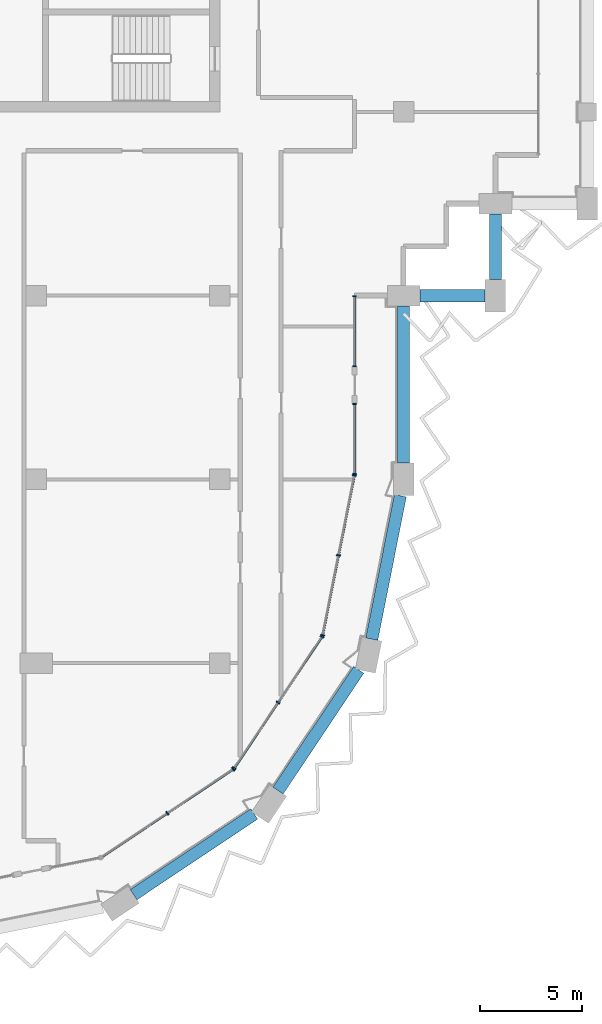
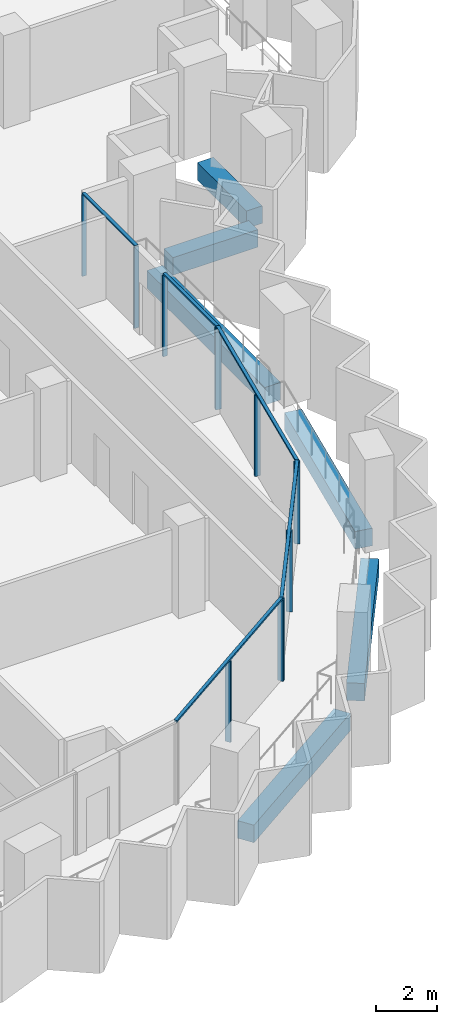
# One storey, part 3 of 16: 17 members, 6 beams, 5 elements without a shape of their own.
"""IFC4 building model written with IfcOpenShell, lengths in metres."""

from ifc_helpers import new_model, si_unit, direction, frame, origin, origin_2d, place, context, subcontext, project, spatial, rectangle, extrude, material, material_profile, profile_set, type_object, element, aggregate, save


model = new_model("IFC4")

# Units and contexts
model_context = context("Model", 3, precision=1e-05, world=origin(), true_north=direction((0.0, 1.0)))
body_context = subcontext(model_context, "Body", "Model", "MODEL_VIEW")
ifc_project = project(units=[si_unit("LENGTHUNIT", "METRE"), si_unit("AREAUNIT", "SQUARE_METRE"), si_unit("VOLUMEUNIT", "CUBIC_METRE"), si_unit("PLANEANGLEUNIT", "RADIAN"), si_unit("MASSUNIT", "GRAM", prefix="KILO")], contexts=[model_context])

# Site, building, storey
site_placement = place(None, origin())
site = spatial("IfcSite", under=ifc_project, at=site_placement, CompositionType="ELEMENT")
building_placement = place(site_placement, origin())
building = spatial("IfcBuilding", under=site, at=building_placement, Name="Hunhe Ridgeline Campus", CompositionType="ELEMENT")
storey_placement = place(building_placement, frame((0.0, 0.0, 239.199951171875)))
storey = spatial("IfcBuildingStorey", under=building, at=storey_placement, Name="L61", CompositionType="ELEMENT", Elevation=239.199951171875)

# Curtain wall, members
ifc_material_1 = material(Name="Aluminium 6063", Category="aluminium")
curtain_wall_type_1 = type_object("IfcCurtainWallType", Name="Curtain wall CW-1", PredefinedType="NOTDEFINED", material=ifc_material_1)
curtain_wall_1_placement = place(storey_placement, origin())
curtain_wall_1 = element("IfcCurtainWall", 1, at=curtain_wall_1_placement, inside=storey, type_object=curtain_wall_type_1, Name="Curtain wall 11", PredefinedType="NOTDEFINED")
ifc_material_profile_1 = material_profile(ifc_material_1, rectangle(XDim=0.159912109375, YDim=0.06005859375, at=origin_2d()))
ifc_profile_set_1 = profile_set([ifc_material_profile_1], Name="Aluminium 6063")
member_type_1 = type_object("IfcMemberType", Name="CW-1 aluminium mullion", PredefinedType="MULLION", material=ifc_profile_set_1)
member_1_placement = place(storey_placement, frame((42.59912109375, 45.266357421875, 0.0), z_axis=(0.0, 0.0, 1.0), x_axis=(-0.999999999815, 1.9241592e-05, 0.0)))
member_1 = element("IfcMember", 2, at=member_1_placement, type_object=member_type_1, Name="CW-1 mullion 1", PredefinedType="MULLION", context=body_context, shape_type="SweptSolid", body=[
    extrude(rectangle(XDim=0.159912109375, YDim=0.06005859375, at=origin_2d()), origin(), (0.0, 0.0, 1.0), 3.239990234375),
])
member_2_placement = place(storey_placement, frame((42.59912109375, 48.6884765625, 0.0), z_axis=(0.0, 0.0, 1.0), x_axis=(-0.999999999815, 1.9241592e-05, 0.0)))
member_2 = element("IfcMember", 3, at=member_2_placement, type_object=member_type_1, Name="CW-1 mullion 2", PredefinedType="MULLION", context=body_context, shape_type="SweptSolid", body=[
    extrude(rectangle(XDim=0.159912109375, YDim=0.06005859375, at=origin_2d()), origin(), (0.0, 0.0, 1.0), 3.239990234375),
])

curtain_wall_2_placement = place(storey_placement, origin())
curtain_wall_2 = element("IfcCurtainWall", 4, at=curtain_wall_2_placement, inside=storey, type_object=curtain_wall_type_1, Name="Curtain wall 12", PredefinedType="NOTDEFINED")
member_3_placement = place(storey_placement, frame((42.59912109375, 50.548583984375, 0.0), z_axis=(0.0, 0.0, 1.0), x_axis=(-0.999999999815, 1.9241592e-05, 0.0)))
member_3 = element("IfcMember", 5, at=member_3_placement, type_object=member_type_1, Name="CW-1 mullion 1", PredefinedType="MULLION", context=body_context, shape_type="SweptSolid", body=[
    extrude(rectangle(XDim=0.159912109375, YDim=0.06005859375, at=origin_2d()), origin(), (0.0, 0.0, 1.0), 3.239990234375),
])
member_4_placement = place(storey_placement, frame((42.59912109375, 53.970458984375, 0.0), z_axis=(0.0, 0.0, 1.0), x_axis=(-0.999999999815, 1.9241592e-05, 0.0)))
member_4 = element("IfcMember", 6, at=member_4_placement, type_object=member_type_1, Name="CW-1 mullion 2", PredefinedType="MULLION", context=body_context, shape_type="SweptSolid", body=[
    extrude(rectangle(XDim=0.159912109375, YDim=0.06005859375, at=origin_2d()), origin(), (0.0, 0.0, 1.0), 3.239990234375),
])

# Member
ifc_material_profile_2 = material_profile(ifc_material_1, rectangle(XDim=0.1201171875, YDim=0.06005859375, at=origin_2d()))
ifc_profile_set_2 = profile_set([ifc_material_profile_2], Name="Aluminium 6063")
member_type_2 = type_object("IfcMemberType", Name="CW-1 aluminium transom", PredefinedType="USERDEFINED", material=ifc_profile_set_2)
member_5_placement = place(storey_placement, frame((42.59912109375, 45.236572265625, 3.27001953125), z_axis=(0.0, 1.0, 0.0), x_axis=(-1.0, 0.0, 0.0)))
member_5 = element("IfcMember", 7, at=member_5_placement, type_object=member_type_2, Name="CW-1 transom 1", ObjectType="TRANSOM", PredefinedType="USERDEFINED", context=body_context, shape_type="SweptSolid", body=[
    extrude(rectangle(XDim=0.1201171875, YDim=0.06005859375, at=origin_2d()), origin(), (0.0, 0.0, 1.0), 3.48193359375),
])

aggregate(curtain_wall_1, [member_5, member_1, member_2])

member_6_placement = place(storey_placement, frame((42.59912109375, 50.5185546875, 3.27001953125), z_axis=(0.0, 1.0, 0.0), x_axis=(-1.0, 0.0, 0.0)))
member_6 = element("IfcMember", 8, at=member_6_placement, type_object=member_type_2, Name="CW-1 transom 1", ObjectType="TRANSOM", PredefinedType="USERDEFINED", context=body_context, shape_type="SweptSolid", body=[
    extrude(rectangle(XDim=0.1201171875, YDim=0.06005859375, at=origin_2d()), origin(), (0.0, 0.0, 1.0), 3.48193359375),
])

aggregate(curtain_wall_2, [member_6, member_3, member_4])

# Curtain wall, members
curtain_wall_type_2 = type_object("IfcCurtainWallType", Name="Curtain wall CW-5", PredefinedType="NOTDEFINED", material=ifc_material_1)
curtain_wall_3_placement = place(storey_placement, origin())
curtain_wall_3 = element("IfcCurtainWall", 9, at=curtain_wall_3_placement, inside=storey, type_object=curtain_wall_type_2, Name="Curtain wall 08", PredefinedType="NOTDEFINED")
ifc_material_profile_3 = material_profile(ifc_material_1, rectangle(XDim=0.199951171875, YDim=0.070068359375, at=origin_2d()))
ifc_profile_set_3 = profile_set([ifc_material_profile_3], Name="Aluminium 6063")
member_type_3 = type_object("IfcMemberType", Name="CW-5 aluminium mullion", PredefinedType="MULLION", material=ifc_profile_set_3)
member_7_placement = place(storey_placement, frame((33.42626953125, 28.647705078125, 0.0), z_axis=(0.0, 0.0, 1.0), x_axis=(-0.555570274596, 0.831469584522, 0.0)))
member_7 = element("IfcMember", 10, at=member_7_placement, type_object=member_type_3, Name="CW-5 mullion 2", PredefinedType="MULLION", context=body_context, shape_type="SweptSolid", body=[
    extrude(rectangle(XDim=0.199951171875, YDim=0.070068359375, at=origin_2d()), origin(), (0.0, 0.0, 1.0), 3.22998046875),
])
member_8_placement = place(storey_placement, frame((36.649658203125, 30.8017578125, 0.0), z_axis=(0.0, 0.0, 1.0), x_axis=(-0.555570274596, 0.831469584522, 0.0)))
member_8 = element("IfcMember", 11, at=member_8_placement, type_object=member_type_3, Name="CW-5 mullion 3", PredefinedType="MULLION", context=body_context, shape_type="SweptSolid", body=[
    extrude(rectangle(XDim=0.199951171875, YDim=0.070068359375, at=origin_2d()), origin(), (0.0, 0.0, 1.0), 3.22998046875),
])

curtain_wall_4_placement = place(storey_placement, origin())
curtain_wall_4 = element("IfcCurtainWall", 12, at=curtain_wall_4_placement, inside=storey, type_object=curtain_wall_type_2, Name="Curtain wall 09", PredefinedType="NOTDEFINED")
member_9_placement = place(storey_placement, frame((36.6982421875, 30.850341796875, 0.0), z_axis=(0.0, 0.0, 1.0), x_axis=(-0.831469584522, 0.555570274596, 0.0)))
member_9 = element("IfcMember", 13, at=member_9_placement, type_object=member_type_3, Name="CW-5 mullion 1", PredefinedType="MULLION", context=body_context, shape_type="SweptSolid", body=[
    extrude(rectangle(XDim=0.199951171875, YDim=0.070068359375, at=origin_2d()), origin(), (0.0, 0.0, 1.0), 3.22998046875),
])
member_10_placement = place(storey_placement, frame((38.852294921875, 34.07373046875, 0.0), z_axis=(0.0, 0.0, 1.0), x_axis=(-0.831469584522, 0.555570274596, 0.0)))
member_10 = element("IfcMember", 14, at=member_10_placement, type_object=member_type_3, Name="CW-5 mullion 2", PredefinedType="MULLION", context=body_context, shape_type="SweptSolid", body=[
    extrude(rectangle(XDim=0.199951171875, YDim=0.070068359375, at=origin_2d()), origin(), (0.0, 0.0, 1.0), 3.22998046875),
])
member_11_placement = place(storey_placement, frame((41.006103515625, 37.29736328125, 0.0), z_axis=(0.0, 0.0, 1.0), x_axis=(-0.831469584522, 0.555570274596, 0.0)))
member_11 = element("IfcMember", 15, at=member_11_placement, type_object=member_type_3, Name="CW-5 mullion 3", PredefinedType="MULLION", context=body_context, shape_type="SweptSolid", body=[
    extrude(rectangle(XDim=0.199951171875, YDim=0.070068359375, at=origin_2d()), origin(), (0.0, 0.0, 1.0), 3.22998046875),
])

curtain_wall_5_placement = place(storey_placement, origin())
curtain_wall_5 = element("IfcCurtainWall", 16, at=curtain_wall_5_placement, inside=storey, type_object=curtain_wall_type_2, Name="Curtain wall 10", PredefinedType="NOTDEFINED")
member_12_placement = place(storey_placement, frame((41.032470703125, 37.36083984375, 0.0), z_axis=(0.0, 0.0, 1.0), x_axis=(-0.980785284939, 0.195090299215, 0.0)))
member_12 = element("IfcMember", 17, at=member_12_placement, type_object=member_type_3, Name="CW-5 mullion 1", PredefinedType="MULLION", context=body_context, shape_type="SweptSolid", body=[
    extrude(rectangle(XDim=0.199951171875, YDim=0.070068359375, at=origin_2d()), origin(), (0.0, 0.0, 1.0), 3.22998046875),
])
member_13_placement = place(storey_placement, frame((41.812255859375, 41.281494140625, 0.0), z_axis=(0.0, 0.0, 1.0), x_axis=(-0.980785284939, 0.195090299215, 0.0)))
member_13 = element("IfcMember", 18, at=member_13_placement, type_object=member_type_3, Name="CW-5 mullion 2", PredefinedType="MULLION", context=body_context, shape_type="SweptSolid", body=[
    extrude(rectangle(XDim=0.199951171875, YDim=0.070068359375, at=origin_2d()), origin(), (0.0, 0.0, 1.0), 3.22998046875),
])
member_14_placement = place(storey_placement, frame((42.59228515625, 45.2021484375, 0.0), z_axis=(0.0, 0.0, 1.0), x_axis=(-0.980785284939, 0.195090299215, 0.0)))
member_14 = element("IfcMember", 19, at=member_14_placement, type_object=member_type_3, Name="CW-5 mullion 3", PredefinedType="MULLION", context=body_context, shape_type="SweptSolid", body=[
    extrude(rectangle(XDim=0.199951171875, YDim=0.070068359375, at=origin_2d()), origin(), (0.0, 0.0, 1.0), 3.22998046875),
])

# Member
ifc_material_profile_4 = material_profile(ifc_material_1, rectangle(XDim=0.1201171875, YDim=0.070068359375, at=origin_2d()))
ifc_profile_set_4 = profile_set([ifc_material_profile_4], Name="Aluminium 6063")
member_type_4 = type_object("IfcMemberType", Name="CW-5 aluminium transom", PredefinedType="USERDEFINED", material=ifc_profile_set_4)
member_15_placement = place(storey_placement, frame((30.173583984375, 26.474365234375, 3.26513671875), z_axis=(0.831473763475, 0.5555640203, 0.0), x_axis=(-0.5555640203, 0.831473763475, 0.0)))
member_15 = element("IfcMember", 20, at=member_15_placement, type_object=member_type_4, Name="CW-5 transom 1", ObjectType="TRANSOM", PredefinedType="USERDEFINED", context=body_context, shape_type="SweptSolid", body=[
    extrude(rectangle(XDim=0.1201171875, YDim=0.070068359375, at=origin_2d()), origin(), (0.0, 0.0, 1.0), 7.823974609375),
])

aggregate(curtain_wall_3, [member_15, member_7, member_8])

member_16_placement = place(storey_placement, frame((36.678955078125, 30.821044921875, 3.26513671875), z_axis=(0.5555640203, 0.831473763475, 0.0), x_axis=(-0.831473763475, 0.5555640203, 0.0)))
member_16 = element("IfcMember", 21, at=member_16_placement, type_object=member_type_4, Name="CW-5 transom 1", ObjectType="TRANSOM", PredefinedType="USERDEFINED", context=body_context, shape_type="SweptSolid", body=[
    extrude(rectangle(XDim=0.1201171875, YDim=0.070068359375, at=origin_2d()), origin(), (0.0, 0.0, 1.0), 7.823974609375),
])

aggregate(curtain_wall_4, [member_16, member_9, member_10, member_11])

member_17_placement = place(storey_placement, frame((41.025634765625, 37.326416015625, 3.26513671875), z_axis=(0.195097290093, 0.980783894341, 0.0), x_axis=(-0.980783894341, 0.195097290093, 0.0)))
member_17 = element("IfcMember", 22, at=member_17_placement, type_object=member_type_4, Name="CW-5 transom 1", ObjectType="TRANSOM", PredefinedType="USERDEFINED", context=body_context, shape_type="SweptSolid", body=[
    extrude(rectangle(XDim=0.1201171875, YDim=0.070068359375, at=origin_2d()), origin(), (0.0, 0.0, 1.0), 8.065185546875),
])

aggregate(curtain_wall_5, [member_17, member_12, member_13, member_14])

# Beams
ifc_material_2 = material(Name="Concrete C50", Category="concrete")
ifc_material_profile_5 = material_profile(ifc_material_2, rectangle(XDim=0.60009765625, YDim=0.699951171875, at=origin_2d()))
ifc_profile_set_5 = profile_set([ifc_material_profile_5], Name="Concrete C50")
beam_type = type_object("IfcBeamType", Name="RC spandrel beam 600x700 Concrete C50", PredefinedType="SPANDREL", material=ifc_profile_set_5)
for number, where, z_axis, x_axis, name in (
    (23, (31.775634765625, 24.6572265625, -0.599853515625), (0.831463706344, 0.55557907181, 0.0), (-0.55557907181, 0.831463706344, 0.0), "Spandrel beam B4-6 L61"),
    (24, (38.854248046875, 29.75537109375, -0.599853515625), (0.55557907181, 0.831463706344, 0.0), (-0.831463706344, 0.55557907181, 0.0), "Spandrel beam B4-7 L61"),
):
    element("IfcBeam", number, at=place(storey_placement, frame(where, z_axis=z_axis, x_axis=x_axis)), inside=storey, type_object=beam_type, Name=name, PredefinedType="SPANDREL", context=body_context, shape_type="SweptSolid", body=[
        extrude(rectangle(XDim=0.60009765625, YDim=0.699951171875, at=origin_2d()), origin(), (0.0, 0.0, 1.0), 7.113037109375),
    ])
beam_1_placement = place(storey_placement, frame((43.443359375, 37.17431640625, -0.599853515625), z_axis=(0.195087004291, 0.980785940334, 0.0), x_axis=(-0.980785940334, 0.195087004291, 0.0)))
element("IfcBeam", 25, at=beam_1_placement, inside=storey, type_object=beam_type, Name="Spandrel beam B4-8 L61", PredefinedType="SPANDREL", context=body_context, shape_type="SweptSolid", body=[
    extrude(rectangle(XDim=0.60009765625, YDim=0.699951171875, at=origin_2d()), origin(), (0.0, 0.0, 1.0), 7.163330078125),
])
beam_2_placement = place(storey_placement, frame((45.0, 45.800048828125, -0.599853515625), z_axis=(0.0, 1.0, 0.0), x_axis=(-1.0, 0.0, 0.0)))
element("IfcBeam", 26, at=beam_2_placement, inside=storey, type_object=beam_type, Name="Spandrel beam B4-9 L61", PredefinedType="SPANDREL", context=body_context, shape_type="SweptSolid", body=[
    extrude(rectangle(XDim=0.60009765625, YDim=0.699951171875, at=origin_2d()), origin(), (0.0, 0.0, 1.0), 7.699951171875),
])
for number, where, z_axis, x_axis, name in (
    (27, (45.800048828125, 54.0, -0.599853515625), (1.0, 0.0, 0.0), (0.0, 1.0, 0.0), "Spandrel beam B4-10 L61"),
    (28, (49.5, 54.800048828125, -0.599853515625), (0.0, 1.0, 0.0), (-1.0, 0.0, 0.0), "Spandrel beam B4-11 L61"),
):
    element("IfcBeam", number, at=place(storey_placement, frame(where, z_axis=z_axis, x_axis=x_axis)), inside=storey, type_object=beam_type, Name=name, PredefinedType="SPANDREL", context=body_context, shape_type="SweptSolid", body=[
        extrude(rectangle(XDim=0.60009765625, YDim=0.699951171875, at=origin_2d()), origin(), (0.0, 0.0, 1.0), 3.199951171875),
    ])

save(model, "model.ifc")
